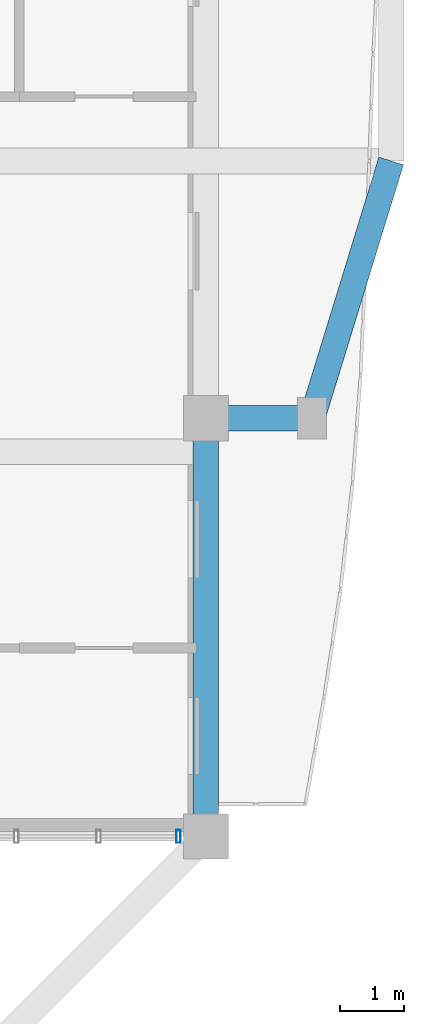
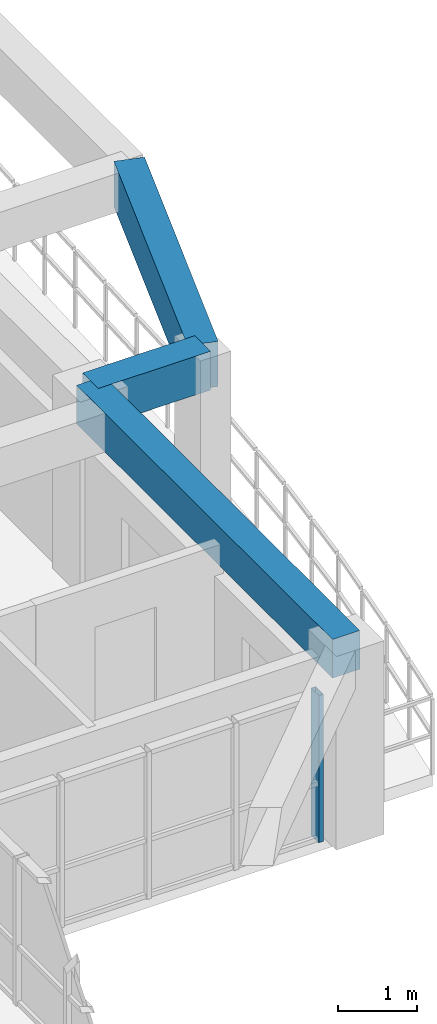
# One storey, part 6 of 24: 3 beams, 1 member, 1 element without a shape of its own.
"""IFC4 building model written with IfcOpenShell, lengths in metres."""

from ifc_helpers import new_model, si_unit, direction, frame, origin, origin_2d, place, context, subcontext, project, spatial, rectangle, hollow_rectangle, extrude, source, transform, mapped, material, layer, layer_set, material_profile, profile_set, type_object, element, aggregate, save


model = new_model("IFC4")

# Units and contexts
model_context = context("Model", 3, precision=1e-05, world=origin(), true_north=direction((0.0, 1.0)))
body_context = subcontext(model_context, "Body", "Model", "MODEL_VIEW")
ifc_project = project(units=[si_unit("LENGTHUNIT", "METRE"), si_unit("AREAUNIT", "SQUARE_METRE"), si_unit("VOLUMEUNIT", "CUBIC_METRE"), si_unit("PLANEANGLEUNIT", "RADIAN"), si_unit("MASSUNIT", "GRAM", prefix="KILO")], contexts=[model_context])

# Site, building, storey
site_placement = place(None, origin())
site = spatial("IfcSite", under=ifc_project, at=site_placement, CompositionType="ELEMENT")
building_placement = place(site_placement, origin())
building = spatial("IfcBuilding", under=site, at=building_placement, Name="Saelheon Loggia Tower", CompositionType="ELEMENT")
storey_placement = place(building_placement, frame((0.0, 0.0, 246.0)))
storey = spatial("IfcBuildingStorey", under=building, at=storey_placement, Name="L76", CompositionType="ELEMENT", Elevation=246.0)

# Beams
ifc_material_1 = material(Name="Precast Concrete C45/55", Category="concrete")
ifc_material_profile_1 = material_profile(ifc_material_1, rectangle(XDim=0.39990234375, YDim=0.60009765625, at=origin_2d()), Name="RC-400x600")
ifc_profile_set_1 = profile_set([ifc_material_profile_1], Name="Precast Concrete C45/55")
beam_type_1 = type_object("IfcBeamType", Name="Beam_LoggiaTie_RC400x600", PredefinedType="BEAM", material=ifc_profile_set_1)
shared_shape_1 = source(origin(), body_context, "Body", "SweptSolid", [
    extrude(rectangle(XDim=0.39990234375, YDim=0.60009765625, at=origin_2d()), origin(), (0.0, 0.0, 1.0), 1.64990234375),
])
beam_1_placement = place(storey_placement, frame((53.0, 18.0, 2.699951171875), z_axis=(1.0, 0.0, 0.0), x_axis=(0.0, 1.0, 0.0)))
element("IfcBeam", 1, at=beam_1_placement, inside=storey, type_object=beam_type_1, Name="L76 Loggia Frame Tie Beam LP-E1", PredefinedType="BEAM", context=body_context, shape_type="MappedRepresentation", body=[
    mapped(shared_shape_1, transform((0.0, 0.0, 0.0), scale=1.0)),
])
ifc_material_profile_2 = material_profile(ifc_material_1, rectangle(XDim=0.39990234375, YDim=0.699951171875, at=origin_2d()), Name="RC-400x700")
ifc_profile_set_2 = profile_set([ifc_material_profile_2], Name="Precast Concrete C45/55")
beam_type_2 = type_object("IfcBeamType", Name="Beam_LoggiaSpandrel_RC400x700", PredefinedType="SPANDREL", material=ifc_profile_set_2)
shared_shape_2 = source(origin(), body_context, "Body", "SweptSolid", [
    extrude(rectangle(XDim=0.39990234375, YDim=0.699951171875, at=origin_2d()), origin(), (0.0, 0.0, 1.0), 4.184814453125),
])
beam_2_placement = place(storey_placement, frame((54.64990234375, 18.0, 2.64990234375), z_axis=(0.293913664135, 0.955831971653, 0.0), x_axis=(-0.955831971653, 0.293913664135, 0.0)))
element("IfcBeam", 2, at=beam_2_placement, inside=storey, type_object=beam_type_2, Name="L76 Curved Loggia Spandrel E 1", PredefinedType="SPANDREL", context=body_context, shape_type="MappedRepresentation", body=[
    mapped(shared_shape_2, transform((0.0, 0.0, 0.0), scale=1.0)),
])
ifc_material_2 = material(Name="Concrete C40/50", Category="concrete")
ifc_material_profile_3 = material_profile(ifc_material_2, rectangle(XDim=0.39990234375, YDim=0.60009765625, at=origin_2d()), Name="RC-400x600")
ifc_profile_set_3 = profile_set([ifc_material_profile_3], Name="Concrete C40/50")
beam_type_3 = type_object("IfcBeamType", Name="Beam_PerimUpper_RC400x600", PredefinedType="BEAM", material=ifc_profile_set_3)
shared_shape_3 = source(origin(), body_context, "Body", "SweptSolid", [
    extrude(rectangle(XDim=0.39990234375, YDim=0.60009765625, at=origin_2d()), origin(), (0.0, 0.0, 1.0), 6.5),
])
beam_3_placement = place(storey_placement, frame((53.0, 11.5, 2.699951171875), z_axis=(0.0, 1.0, 0.0), x_axis=(-1.0, 0.0, 0.0)))
element("IfcBeam", 3, at=beam_3_placement, inside=storey, type_object=beam_type_3, Name="L76 Perimeter Frame Girder 05", PredefinedType="BEAM", context=body_context, shape_type="MappedRepresentation", body=[
    mapped(shared_shape_3, transform((0.0, 0.0, 0.0), scale=1.0)),
])

# Curtain wall, member
ifc_material_3 = material(Name="High-Wind Aluminium and Triple Laminated Glass", Category="aluminium")
ifc_layer = layer(ifc_material_3, 0.179931640625)
ifc_layer_set = layer_set([ifc_layer], Name="High-Wind Aluminium and Triple Laminated Glass")
curtain_wall_type = type_object("IfcCurtainWallType", Name="CW_TowerLoggiaHigh", PredefinedType="NOTDEFINED", material=ifc_layer_set)
curtain_wall_placement = place(storey_placement, origin())
curtain_wall = element("IfcCurtainWall", 4, at=curtain_wall_placement, inside=storey, type_object=curtain_wall_type, Name="L76 Corner Notch Glazing SE2", PredefinedType="NOTDEFINED")
ifc_material_4 = material(Name="Anodised Aluminium 6063-T6", Category="aluminium")
ifc_material_profile_4 = material_profile(ifc_material_4, hollow_rectangle(XDim=0.070068359375, YDim=0.199951171875, WallThickness=0.0048828125, at=origin_2d()), Name="RHS-200x70x5")
ifc_profile_set_4 = profile_set([ifc_material_profile_4], Name="Anodised Aluminium 6063-T6")
member_type = type_object("IfcMemberType", Name="CW_TowerLoggiaHigh_Mullion", PredefinedType="MULLION", material=ifc_profile_set_4)
shared_shape_4 = source(origin(), body_context, "Body", "SweptSolid", [
    extrude(hollow_rectangle(XDim=0.070068359375, YDim=0.199951171875, WallThickness=0.0048828125, at=origin_2d()), origin(), (0.0, 0.0, 1.0), 2.280029296875),
])
member_placement = place(storey_placement, frame((52.574951171875, 11.5, 0.0), z_axis=(0.0, 0.0, 1.0), x_axis=(1.0, 0.0, 0.0)))
member = element("IfcMember", 5, at=member_placement, type_object=member_type, Name="CW4 mullion 5", PredefinedType="MULLION", context=body_context, shape_type="MappedRepresentation", body=[
    mapped(shared_shape_4, transform((0.0, 0.0, 0.0), scale=1.0)),
])
aggregate(curtain_wall, [member])

save(model, "model.ifc")
